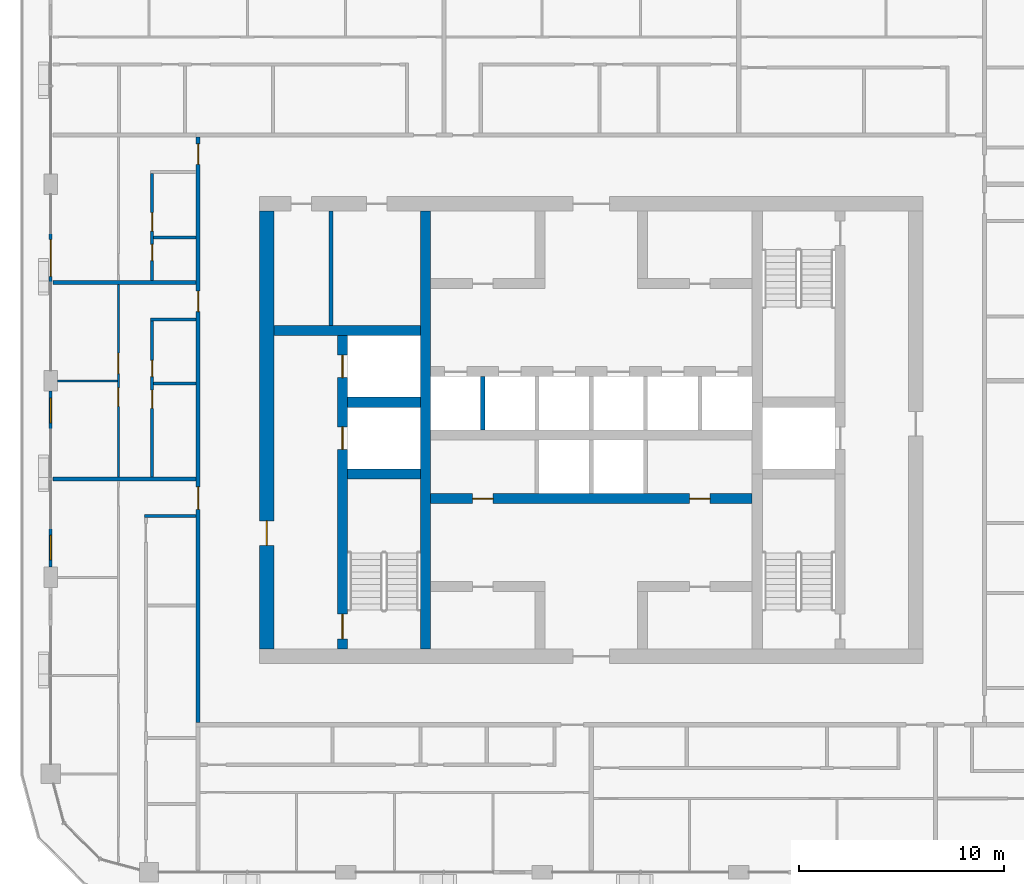
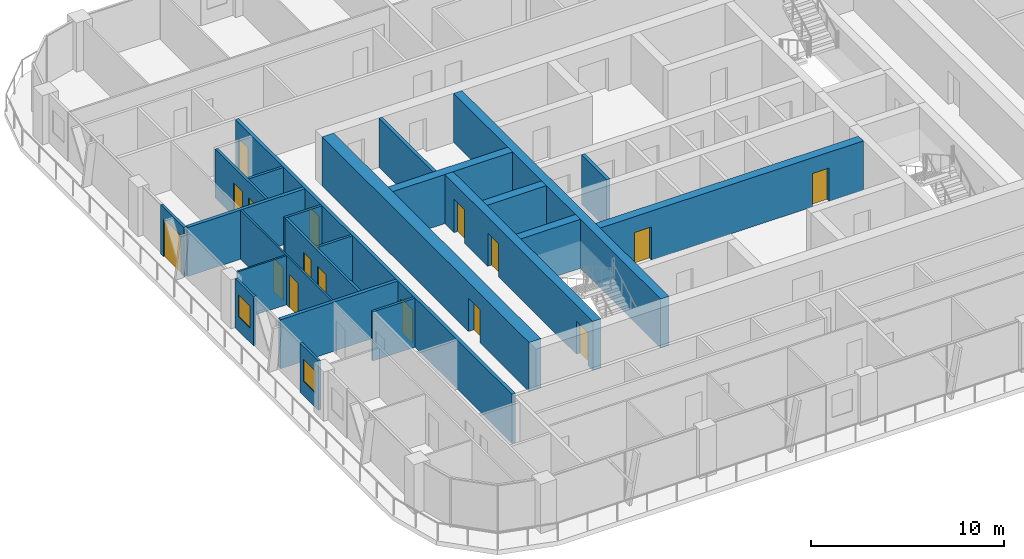
# One storey, part 10 of 22: 23 walls, 16 doors, 2 windows, 18 openings.
"""IFC4 building model written with IfcOpenShell, lengths in metres."""

from ifc_helpers import new_model, si_unit, direction, frame, frame_2d, origin, place, context, subcontext, project, spatial, rectangle, extrude, material, layer, layer_set, type_object, element, fill, save


model = new_model("IFC4")

# Units and contexts
model_context = context("Model", 3, precision=1e-05, world=origin(), true_north=direction((0.0, 1.0)))
body_context = subcontext(model_context, "Body", "Model", "MODEL_VIEW")
ifc_project = project(units=[si_unit("LENGTHUNIT", "METRE"), si_unit("AREAUNIT", "SQUARE_METRE"), si_unit("VOLUMEUNIT", "CUBIC_METRE"), si_unit("PLANEANGLEUNIT", "RADIAN"), si_unit("MASSUNIT", "GRAM", prefix="KILO")], contexts=[model_context])

# Site, building, storey
site_placement = place(None, origin())
site = spatial("IfcSite", under=ifc_project, at=site_placement, CompositionType="ELEMENT")
building_placement = place(site_placement, origin())
building = spatial("IfcBuilding", under=site, at=building_placement, Name="Madar Terraces", CompositionType="ELEMENT")
storey_placement = place(building_placement, frame((0.0, 0.0, 229.800048828125)))
storey = spatial("IfcBuildingStorey", under=building, at=storey_placement, Name="L60", CompositionType="ELEMENT", Elevation=229.800048828125)

# Wall, openings, doors
ifc_material_1 = material(Name="Concrete C60/75", Category="concrete")
ifc_layer_1 = layer(ifc_material_1, 0.5)
ifc_layer_set_1 = layer_set([ifc_layer_1], Name="Concrete C60/75 (CIW4 RC wall 500)")
wall_type_1 = type_object("IfcWallType", Name="CIW4 RC wall 500", PredefinedType="SHEAR", material=ifc_layer_set_1)
wall_1_placement = place(storey_placement, frame((19.050048828125, 15.699951171875, 0.0), z_axis=(0.0, 0.0, 1.0), x_axis=(0.0, 1.0, 0.0)))
wall_1 = element("IfcWall", 1, at=wall_1_placement, inside=storey, type_object=wall_type_1, Name="CORE SHAFT WALL", PredefinedType="SHEAR", context=body_context, shape_type="SweptSolid", body=[
    extrude(rectangle(XDim=15.300048828125, YDim=0.5, at=frame_2d((7.64990234375, 0.0))), origin(), (0.0, 0.0, 1.0), 3.099853515625),
])
opening_1_placement = place(wall_1_placement, frame((9.75, 0.0, 0.0)))
opening_1 = element("IfcOpeningElement", 2, at=opening_1_placement, cuts=wall_1, Name="Opening LD", PredefinedType="OPENING", context=body_context, shape_type="SweptSolid", body=[
    extrude(rectangle(XDim=1.10009765625, YDim=2.10009765625, at=frame_2d((0.550048828125, 1.050048828125))), frame((0.0, 0.260009765625, 0.0), z_axis=(0.0, -1.0, 0.0), x_axis=(1.0, 0.0, 0.0)), (0.0, 0.0, 1.0), 0.52001953125),
])
opening_2_placement = place(wall_1_placement, frame((13.25, 0.0, 0.0)))
opening_2 = element("IfcOpeningElement", 3, at=opening_2_placement, cuts=wall_1, Name="Opening LD", PredefinedType="OPENING", context=body_context, shape_type="SweptSolid", body=[
    extrude(rectangle(XDim=1.10009765625, YDim=2.10009765625, at=frame_2d((0.550048828125, 1.050048828125))), frame((0.0, 0.260009765625, 0.0), z_axis=(0.0, -1.0, 0.0), x_axis=(1.0, 0.0, 0.0)), (0.0, 0.0, 1.0), 0.52001953125),
])
opening_3_placement = place(wall_1_placement, frame((0.5, 0.0, 0.0)))
opening_3 = element("IfcOpeningElement", 4, at=opening_3_placement, cuts=wall_1, Name="Opening SD1", PredefinedType="OPENING", context=body_context, shape_type="SweptSolid", body=[
    extrude(rectangle(XDim=1.199951171875, YDim=2.10009765625, at=frame_2d((0.60009765625, 1.050048828125))), frame((0.0, 0.260009765625, 0.0), z_axis=(0.0, -1.0, 0.0), x_axis=(1.0, 0.0, 0.0)), (0.0, 0.0, 1.0), 0.52001953125),
])
ifc_material_2 = material(Name="Stainless steel panel", Category="steel")
door_type_1 = type_object("IfcDoorType", Name="Lift landing door 1100 x 2100", OperationType="DOUBLE_DOOR_SLIDING", PredefinedType="DOOR", material=ifc_material_2)
door_1_placement = place(opening_1_placement, origin())
door_1 = element("IfcDoor", 5, at=door_1_placement, inside=storey, type_object=door_type_1, Name="LIFT LANDING DOOR", OperationType="DOUBLE_DOOR_SLIDING", OverallHeight=2.10009765625, OverallWidth=1.10009765625, PredefinedType="DOOR", context=body_context, shape_type="SweptSolid", body=[
    extrude(rectangle(XDim=1.10009765625, YDim=2.10009765625, at=frame_2d((0.550048828125, 1.050048828125))), frame((0.0, 0.02490234375, 0.0), z_axis=(0.0, -1.0, 0.0), x_axis=(1.0, 0.0, 0.0)), (0.0, 0.0, 1.0), 0.050048828125),
])
fill(opening_1, door_1)
door_2_placement = place(opening_2_placement, origin())
door_2 = element("IfcDoor", 6, at=door_2_placement, inside=storey, type_object=door_type_1, Name="LIFT LANDING DOOR", OperationType="DOUBLE_DOOR_SLIDING", OverallHeight=2.10009765625, OverallWidth=1.10009765625, PredefinedType="DOOR", context=body_context, shape_type="SweptSolid", body=[
    extrude(rectangle(XDim=1.10009765625, YDim=2.10009765625, at=frame_2d((0.550048828125, 1.050048828125))), frame((0.0, 0.02490234375, 0.0), z_axis=(0.0, -1.0, 0.0), x_axis=(1.0, 0.0, 0.0)), (0.0, 0.0, 1.0), 0.050048828125),
])
fill(opening_2, door_2)
ifc_material_3 = material(Name="Steel door leaf", Category="steel")
door_type_2 = type_object("IfcDoorType", Name="Stair door 1200 x 2100", OperationType="NOTDEFINED", PredefinedType="DOOR", material=ifc_material_3)
door_3_placement = place(opening_3_placement, frame((1.199951171875, 0.0, 0.0), z_axis=(0.0, 0.0, 1.0), x_axis=(-1.0, 0.0, 0.0)))
door_3 = element("IfcDoor", 7, at=door_3_placement, inside=storey, type_object=door_type_2, Name="STAIR DOOR", OperationType="SINGLE_SWING_RIGHT", OverallHeight=2.10009765625, OverallWidth=1.199951171875, PredefinedType="DOOR", context=body_context, shape_type="SweptSolid", body=[
    extrude(rectangle(XDim=1.199951171875, YDim=2.10009765625, at=frame_2d((0.60009765625, 1.050048828125))), frame((0.0, 0.02490234375, 0.0), z_axis=(0.0, -1.0, 0.0), x_axis=(1.0, 0.0, 0.0)), (0.0, 0.0, 1.0), 0.050048828125),
])
fill(opening_3, door_3)

# Walls
wall_2_placement = place(storey_placement, frame((23.10009765625, 15.699951171875, 0.0), z_axis=(0.0, 0.0, 1.0), x_axis=(0.0, 1.0, 0.0)))
element("IfcWall", 8, at=wall_2_placement, inside=storey, type_object=wall_type_1, Name="CORE SHAFT WALL", PredefinedType="SHEAR", context=body_context, shape_type="SweptSolid", body=[
    extrude(rectangle(XDim=21.400146484375, YDim=0.5, at=frame_2d((10.7001953125, 0.0))), origin(), (0.0, 0.0, 1.0), 3.099853515625),
])
for number, where, z_axis, x_axis, name in (
    (9, (19.300048828125, 24.25, 0.0), (0.0, 0.0, 1.0), (1.0, 0.0, 0.0), "CORE SHAFT WALL"),
    (10, (19.300048828125, 27.75, 0.0), (0.0, 0.0, 1.0), (1.0, 0.0, 0.0), "CORE SHAFT WALL"),
):
    element("IfcWall", number, at=place(storey_placement, frame(where, z_axis=z_axis, x_axis=x_axis)), inside=storey, type_object=wall_type_1, Name=name, PredefinedType="SHEAR", context=body_context, shape_type="SweptSolid", body=[
        extrude(rectangle(XDim=3.550048828125, YDim=0.5, at=frame_2d((1.77490234375, 0.0))), origin(), (0.0, 0.0, 1.0), 3.099853515625),
    ])
wall_3_placement = place(storey_placement, frame((15.699951171875, 31.25, 0.0), z_axis=(0.0, 0.0, 1.0), x_axis=(1.0, 0.0, 0.0)))
element("IfcWall", 11, at=wall_3_placement, inside=storey, type_object=wall_type_1, Name="CORE SHAFT WALL", PredefinedType="SHEAR", context=body_context, shape_type="SweptSolid", body=[
    extrude(rectangle(XDim=7.150146484375, YDim=0.5, at=frame_2d((3.5751953125, 0.0))), origin(), (0.0, 0.0, 1.0), 3.099853515625),
])

# Wall, openings, doors
wall_4_placement = place(storey_placement, frame((23.35009765625, 23.050048828125, 0.0), z_axis=(0.0, 0.0, 1.0), x_axis=(1.0, 0.0, 0.0)))
wall_4 = element("IfcWall", 12, at=wall_4_placement, inside=storey, type_object=wall_type_1, Name="CORE SHAFT WALL", PredefinedType="SHEAR", context=body_context, shape_type="SweptSolid", body=[
    extrude(rectangle(XDim=15.699951171875, YDim=0.5, at=frame_2d((7.85009765625, 0.0))), origin(), (0.0, 0.0, 1.0), 3.099853515625),
])
opening_4_placement = place(wall_4_placement, frame((2.050048828125, 0.0, 0.0)))
opening_4 = element("IfcOpeningElement", 13, at=opening_4_placement, cuts=wall_4, Name="Opening KD2", PredefinedType="OPENING", context=body_context, shape_type="SweptSolid", body=[
    extrude(rectangle(XDim=1.0, YDim=2.10009765625, at=frame_2d((0.5, 1.050048828125))), frame((0.0, 0.260009765625, 0.0), z_axis=(0.0, -1.0, 0.0), x_axis=(1.0, 0.0, 0.0)), (0.0, 0.0, 1.0), 0.52001953125),
])
opening_5_placement = place(wall_4_placement, frame((12.64990234375, 0.0, 0.0)))
opening_5 = element("IfcOpeningElement", 14, at=opening_5_placement, cuts=wall_4, Name="Opening KD2", PredefinedType="OPENING", context=body_context, shape_type="SweptSolid", body=[
    extrude(rectangle(XDim=1.0, YDim=2.10009765625, at=frame_2d((0.5, 1.050048828125))), frame((0.0, 0.260009765625, 0.0), z_axis=(0.0, -1.0, 0.0), x_axis=(1.0, 0.0, 0.0)), (0.0, 0.0, 1.0), 0.52001953125),
])
ifc_material_4 = material(Name="Steel door leaf", Category="steel")
door_type_3 = type_object("IfcDoorType", Name="Service room door 1000 x 2100", OperationType="NOTDEFINED", PredefinedType="DOOR", material=ifc_material_4)
door_4_placement = place(opening_4_placement, frame((1.0, 0.0, 0.0), z_axis=(0.0, 0.0, 1.0), x_axis=(-1.0, 0.0, 0.0)))
door_4 = element("IfcDoor", 15, at=door_4_placement, inside=storey, type_object=door_type_3, Name="SERVICE ROOM DOOR", OperationType="SINGLE_SWING_LEFT", OverallHeight=2.10009765625, OverallWidth=1.0, PredefinedType="DOOR", context=body_context, shape_type="SweptSolid", body=[
    extrude(rectangle(XDim=1.0, YDim=2.10009765625, at=frame_2d((0.5, 1.050048828125))), frame((0.0, 0.02490234375, 0.0), z_axis=(0.0, -1.0, 0.0), x_axis=(1.0, 0.0, 0.0)), (0.0, 0.0, 1.0), 0.050048828125),
])
fill(opening_4, door_4)
door_5_placement = place(opening_5_placement, frame((1.0, 0.0, 0.0), z_axis=(0.0, 0.0, 1.0), x_axis=(-1.0, 0.0, 0.0)))
door_5 = element("IfcDoor", 16, at=door_5_placement, inside=storey, type_object=door_type_3, Name="SERVICE ROOM DOOR", OperationType="SINGLE_SWING_RIGHT", OverallHeight=2.10009765625, OverallWidth=1.0, PredefinedType="DOOR", context=body_context, shape_type="SweptSolid", body=[
    extrude(rectangle(XDim=1.0, YDim=2.10009765625, at=frame_2d((0.5, 1.050048828125))), frame((0.0, 0.02490234375, 0.0), z_axis=(0.0, -1.0, 0.0), x_axis=(1.0, 0.0, 0.0)), (0.0, 0.0, 1.0), 0.050048828125),
])
fill(opening_5, door_5)

# Wall, opening, door
ifc_material_5 = material(Name="Concrete C60/75", Category="concrete")
ifc_layer_2 = layer(ifc_material_5, 0.699951171875)
ifc_layer_set_2 = layer_set([ifc_layer_2], Name="Concrete C60/75 (CRW4 RC wall 700)")
wall_type_2 = type_object("IfcWallType", Name="CRW4 RC wall 700", PredefinedType="SHEAR", material=ifc_layer_set_2)
wall_5_placement = place(storey_placement, frame((15.35009765625, 15.699951171875, 0.0), z_axis=(0.0, 0.0, 1.0), x_axis=(0.0, 1.0, 0.0)))
wall_5 = element("IfcWall", 17, at=wall_5_placement, inside=storey, type_object=wall_type_2, Name="CORE OUTER WALL", PredefinedType="SHEAR", context=body_context, shape_type="SweptSolid", body=[
    extrude(rectangle(XDim=21.400146484375, YDim=0.699951171875, at=frame_2d((10.7001953125, 0.0))), origin(), (0.0, 0.0, 1.0), 3.099853515625),
])
opening_6_placement = place(wall_5_placement, frame((5.06005859375, 0.0, 0.0)))
opening_6 = element("IfcOpeningElement", 18, at=opening_6_placement, cuts=wall_5, Name="Opening SD1", PredefinedType="OPENING", context=body_context, shape_type="SweptSolid", body=[
    extrude(rectangle(XDim=1.199951171875, YDim=2.10009765625, at=frame_2d((0.60009765625, 1.050048828125))), frame((0.0, 0.35986328125, 0.0), z_axis=(0.0, -1.0, 0.0), x_axis=(1.0, 0.0, 0.0)), (0.0, 0.0, 1.0), 0.719970703125),
])
door_6_placement = place(opening_6_placement, frame((1.199951171875, 0.0, 0.0), z_axis=(0.0, 0.0, 1.0), x_axis=(-1.0, 0.0, 0.0)))
door_6 = element("IfcDoor", 19, at=door_6_placement, inside=storey, type_object=door_type_2, Name="STAIR DOOR", OperationType="SINGLE_SWING_LEFT", OverallHeight=2.10009765625, OverallWidth=1.199951171875, PredefinedType="DOOR", context=body_context, shape_type="SweptSolid", body=[
    extrude(rectangle(XDim=1.199951171875, YDim=2.10009765625, at=frame_2d((0.60009765625, 1.050048828125))), frame((0.0, 0.02490234375, 0.0), z_axis=(0.0, -1.0, 0.0), x_axis=(1.0, 0.0, 0.0)), (0.0, 0.0, 1.0), 0.050048828125),
])
fill(opening_6, door_6)

# Walls
ifc_material_6 = material(Name="Masonry blockwork", Category="masonry")
ifc_layer_3 = layer(ifc_material_6, 0.199951171875)
ifc_layer_set_3 = layer_set([ifc_layer_3], Name="Core partition 200 blockwork")
wall_type_3 = type_object("IfcWallType", Name="Core partition 200 blockwork", PredefinedType="PARTITIONING", material=ifc_layer_set_3)
wall_6_placement = place(storey_placement, frame((18.488525390625, 31.5, 0.0), z_axis=(0.0, 0.0, 1.0), x_axis=(0.0, 1.0, 0.0)))
element("IfcWall", 20, at=wall_6_placement, inside=storey, type_object=wall_type_3, Name="SERVICE ROOM PARTITION", PredefinedType="PARTITIONING", context=body_context, shape_type="SweptSolid", body=[
    extrude(rectangle(XDim=5.60009765625, YDim=0.199951171875, at=frame_2d((2.800048828125, 0.0))), origin(), (0.0, 0.0, 1.0), 3.099853515625),
])
ifc_material_7 = material(Name="Concrete C40/50", Category="concrete")
ifc_layer_4 = layer(ifc_material_7, 0.199951171875)
ifc_layer_set_4 = layer_set([ifc_layer_4], Name="Core shaft dividing wall 200 C40/50")
wall_type_4 = type_object("IfcWallType", Name="Core shaft dividing wall 200 C40/50", PredefinedType="SOLIDWALL", material=ifc_layer_set_4)
wall_7_placement = place(storey_placement, frame((25.89990234375, 26.39990234375, 0.0), z_axis=(0.0, 0.0, 1.0), x_axis=(0.0, 1.0, 0.0)))
element("IfcWall", 21, at=wall_7_placement, inside=storey, type_object=wall_type_4, Name="SHAFT DIVIDING WALL", PredefinedType="SOLIDWALL", context=body_context, shape_type="SweptSolid", body=[
    extrude(rectangle(XDim=2.60009765625, YDim=0.199951171875, at=frame_2d((1.300048828125, 0.0))), origin(), (0.0, 0.0, 1.0), 3.099853515625),
])

# Wall, opening, door
ifc_material_8 = material(Name="Aluminium composite panel, black, over insulated backing", Category="aluminium")
ifc_layer_5 = layer(ifc_material_8, 0.14990234375)
ifc_layer_set_5 = layer_set([ifc_layer_5], Name="Facade bay panel 150")
wall_type_5 = type_object("IfcWallType", Name="Facade bay panel 150", PredefinedType="SOLIDWALL", material=ifc_layer_set_5)
wall_8_placement = place(storey_placement, frame((4.800048828125, 36.0, 0.0), z_axis=(0.0, 0.0, 1.0), x_axis=(0.0, -1.0, 0.0)))
wall_8 = element("IfcWall", 22, at=wall_8_placement, inside=storey, type_object=wall_type_5, Name="Facade bay panel", PredefinedType="SOLIDWALL", context=body_context, shape_type="SweptSolid", body=[
    extrude(rectangle(XDim=2.39990234375, YDim=0.14990234375, at=frame_2d((1.199951171875, 0.0))), origin(), (0.0, 0.0, 1.0), 3.099853515625),
])
opening_7_placement = place(wall_8_placement, frame((0.300048828125, 0.0, 0.0)))
opening_7 = element("IfcOpeningElement", 23, at=opening_7_placement, cuts=wall_8, Name="Opening ED1", PredefinedType="OPENING", context=body_context, shape_type="SweptSolid", body=[
    extrude(rectangle(XDim=1.800048828125, YDim=2.39990234375, at=frame_2d((0.89990234375, 1.199951171875))), frame((0.0, 0.0849609375, 0.0), z_axis=(0.0, -1.0, 0.0), x_axis=(1.0, 0.0, 0.0)), (0.0, 0.0, 1.0), 0.169921875),
])
ifc_material_9 = material(Name="Glass, clear, with black aluminium frame", Category="aluminium")
door_type_4 = type_object("IfcDoorType", Name="Balcony and terrace sliding door 1800 x 2400", OperationType="SLIDING_TO_LEFT", PredefinedType="DOOR", material=ifc_material_9)
door_7_placement = place(opening_7_placement, origin())
door_7 = element("IfcDoor", 24, at=door_7_placement, inside=storey, type_object=door_type_4, Name="Balcony door", OperationType="SLIDING_TO_RIGHT", OverallHeight=2.39990234375, OverallWidth=1.800048828125, PredefinedType="DOOR", context=body_context, shape_type="SweptSolid", body=[
    extrude(rectangle(XDim=1.800048828125, YDim=2.39990234375, at=frame_2d((0.89990234375, 1.199951171875))), frame((0.0, 0.02490234375, 0.0), z_axis=(0.0, -1.0, 0.0), x_axis=(1.0, 0.0, 0.0)), (0.0, 0.0, 1.0), 0.050048828125),
])
fill(opening_7, door_7)

# Wall, opening, window
wall_9_placement = place(storey_placement, frame((4.800048828125, 28.300048828125, 0.0), z_axis=(0.0, 0.0, 1.0), x_axis=(0.0, -1.0, 0.0)))
wall_9 = element("IfcWall", 25, at=wall_9_placement, inside=storey, type_object=wall_type_5, Name="Facade bay panel", PredefinedType="SOLIDWALL", context=body_context, shape_type="SweptSolid", body=[
    extrude(rectangle(XDim=1.900146484375, YDim=0.14990234375, at=frame_2d((0.9501953125, 0.0))), origin(), (0.0, 0.0, 1.0), 3.099853515625),
])
opening_8_placement = place(wall_9_placement, frame((0.35009765625, 0.0, 0.89990234375)))
opening_8 = element("IfcOpeningElement", 26, at=opening_8_placement, cuts=wall_9, Name="Opening W1", PredefinedType="OPENING", context=body_context, shape_type="SweptSolid", body=[
    extrude(rectangle(XDim=1.199951171875, YDim=1.39990234375, at=frame_2d((0.60009765625, 0.699951171875))), frame((0.0, 0.0849609375, 0.0), z_axis=(0.0, -1.0, 0.0), x_axis=(1.0, 0.0, 0.0)), (0.0, 0.0, 1.0), 0.169921875),
])
ifc_material_10 = material(Name="Glass, clear, with black aluminium frame", Category="aluminium")
window_type = type_object("IfcWindowType", Name="Vent window 1200 x 1400", PartitioningType="SINGLE_PANEL", PredefinedType="WINDOW", material=ifc_material_10)
window_1_placement = place(opening_8_placement, origin())
window_1 = element("IfcWindow", 27, at=window_1_placement, inside=storey, type_object=window_type, Name="Operable vent window", OverallHeight=1.39990234375, OverallWidth=1.199951171875, PartitioningType="SINGLE_PANEL", PredefinedType="WINDOW", context=body_context, shape_type="SweptSolid", body=[
    extrude(rectangle(XDim=1.199951171875, YDim=1.39990234375, at=frame_2d((0.60009765625, 0.699951171875))), frame((0.0, 0.030029296875, 0.0), z_axis=(0.0, -1.0, 0.0), x_axis=(1.0, 0.0, 0.0)), (0.0, 0.0, 1.0), 0.06005859375),
])
fill(opening_8, window_1)

wall_10_placement = place(storey_placement, frame((4.800048828125, 21.60009765625, 0.0), z_axis=(0.0, 0.0, 1.0), x_axis=(0.0, -1.0, 0.0)))
wall_10 = element("IfcWall", 28, at=wall_10_placement, inside=storey, type_object=wall_type_5, Name="Facade bay panel", PredefinedType="SOLIDWALL", context=body_context, shape_type="SweptSolid", body=[
    extrude(rectangle(XDim=1.900146484375, YDim=0.14990234375, at=frame_2d((0.9501953125, 0.0))), origin(), (0.0, 0.0, 1.0), 3.099853515625),
])
opening_9_placement = place(wall_10_placement, frame((0.35009765625, 0.0, 0.89990234375)))
opening_9 = element("IfcOpeningElement", 29, at=opening_9_placement, cuts=wall_10, Name="Opening W1", PredefinedType="OPENING", context=body_context, shape_type="SweptSolid", body=[
    extrude(rectangle(XDim=1.199951171875, YDim=1.39990234375, at=frame_2d((0.60009765625, 0.699951171875))), frame((0.0, 0.0849609375, 0.0), z_axis=(0.0, -1.0, 0.0), x_axis=(1.0, 0.0, 0.0)), (0.0, 0.0, 1.0), 0.169921875),
])
window_2_placement = place(opening_9_placement, origin())
window_2 = element("IfcWindow", 30, at=window_2_placement, inside=storey, type_object=window_type, Name="Operable vent window", OverallHeight=1.39990234375, OverallWidth=1.199951171875, PartitioningType="SINGLE_PANEL", PredefinedType="WINDOW", context=body_context, shape_type="SweptSolid", body=[
    extrude(rectangle(XDim=1.199951171875, YDim=1.39990234375, at=frame_2d((0.60009765625, 0.699951171875))), frame((0.0, 0.030029296875, 0.0), z_axis=(0.0, -1.0, 0.0), x_axis=(1.0, 0.0, 0.0)), (0.0, 0.0, 1.0), 0.06005859375),
])
fill(opening_9, window_2)

# Wall
ifc_material_11 = material(Name="Gypsum board on steel studs", Category="steel")
ifc_layer_6 = layer(ifc_material_11, 0.10009765625)
ifc_layer_set_6 = layer_set([ifc_layer_6], Name="Flat partition 100")
wall_type_6 = type_object("IfcWallType", Name="Flat partition 100", PredefinedType="PARTITIONING", material=ifc_layer_set_6)
wall_11_placement = place(storey_placement, frame((8.050048828125, 28.800048828125, 0.0), z_axis=(0.0, 0.0, 1.0), x_axis=(-1.0, 0.0, 0.0)))
element("IfcWall", 31, at=wall_11_placement, inside=storey, type_object=wall_type_6, Name="Flat partition 100", PredefinedType="PARTITIONING", context=body_context, shape_type="SweptSolid", body=[
    extrude(rectangle(XDim=2.925048828125, YDim=0.10009765625, at=frame_2d((1.46240234375, 0.0))), origin(), (0.0, 0.0, 1.0), 3.099853515625),
])

# Wall, openings, doors
wall_12_placement = place(storey_placement, frame((8.10009765625, 24.10009765625, 0.0), z_axis=(0.0, 0.0, 1.0), x_axis=(0.0, 1.0, 0.0)))
wall_12 = element("IfcWall", 32, at=wall_12_placement, inside=storey, type_object=wall_type_6, Name="Flat partition 100", PredefinedType="PARTITIONING", context=body_context, shape_type="SweptSolid", body=[
    extrude(rectangle(XDim=9.39990234375, YDim=0.10009765625, at=frame_2d((4.699951171875, 0.0))), origin(), (0.0, 0.0, 1.0), 3.099853515625),
])
opening_10_placement = place(wall_12_placement, frame((5.050048828125, 0.0, 0.0)))
opening_10 = element("IfcOpeningElement", 33, at=opening_10_placement, cuts=wall_12, Name="Opening D3", PredefinedType="OPENING", context=body_context, shape_type="SweptSolid", body=[
    extrude(rectangle(XDim=1.0, YDim=2.10009765625, at=frame_2d((0.5, 1.050048828125))), frame((0.0, 0.06005859375, 0.0), z_axis=(0.0, -1.0, 0.0), x_axis=(1.0, 0.0, 0.0)), (0.0, 0.0, 1.0), 0.1201171875),
])
opening_11_placement = place(wall_12_placement, frame((3.449951171875, 0.0, 0.0)))
opening_11 = element("IfcOpeningElement", 34, at=opening_11_placement, cuts=wall_12, Name="Opening D2", PredefinedType="OPENING", context=body_context, shape_type="SweptSolid", body=[
    extrude(rectangle(XDim=0.89990234375, YDim=2.10009765625, at=frame_2d((0.449951171875, 1.050048828125))), frame((0.0, 0.06005859375, 0.0), z_axis=(0.0, -1.0, 0.0), x_axis=(1.0, 0.0, 0.0)), (0.0, 0.0, 1.0), 0.1201171875),
])
ifc_material_12 = material(Name="Timber door leaf", Category="wood")
door_type_5 = type_object("IfcDoorType", Name="Flat living room door 1000", OperationType="NOTDEFINED", PredefinedType="DOOR", material=ifc_material_12)
door_8_placement = place(opening_10_placement, origin())
door_8 = element("IfcDoor", 35, at=door_8_placement, inside=storey, type_object=door_type_5, Name="Flat living room door 1000", OperationType="SINGLE_SWING_LEFT", OverallHeight=2.10009765625, OverallWidth=1.0, PredefinedType="DOOR", context=body_context, shape_type="SweptSolid", body=[
    extrude(rectangle(XDim=1.0, YDim=2.10009765625, at=frame_2d((0.5, 1.050048828125))), frame((0.0, 0.02490234375, 0.0), z_axis=(0.0, -1.0, 0.0), x_axis=(1.0, 0.0, 0.0)), (0.0, 0.0, 1.0), 0.050048828125),
])
fill(opening_10, door_8)
ifc_material_13 = material(Name="Timber door leaf", Category="wood")
door_type_6 = type_object("IfcDoorType", Name="Flat room door 900", OperationType="NOTDEFINED", PredefinedType="DOOR", material=ifc_material_13)
door_9_placement = place(opening_11_placement, origin())
door_9 = element("IfcDoor", 36, at=door_9_placement, inside=storey, type_object=door_type_6, Name="Flat room door 900", OperationType="SINGLE_SWING_RIGHT", OverallHeight=2.10009765625, OverallWidth=0.89990234375, PredefinedType="DOOR", context=body_context, shape_type="SweptSolid", body=[
    extrude(rectangle(XDim=0.89990234375, YDim=2.10009765625, at=frame_2d((0.449951171875, 1.050048828125))), frame((0.0, 0.02490234375, 0.0), z_axis=(0.0, -1.0, 0.0), x_axis=(1.0, 0.0, 0.0)), (0.0, 0.0, 1.0), 0.050048828125),
])
fill(opening_11, door_9)

ifc_material_14 = material(Name="Lightweight blockwork", Category="masonry")
ifc_layer_7 = layer(ifc_material_14, 0.199951171875)
ifc_layer_set_7 = layer_set([ifc_layer_7], Name="Flat party and entrance wall 200")
wall_type_7 = type_object("IfcWallType", Name="Flat party and entrance wall 200", PredefinedType="PARTITIONING", material=ifc_layer_set_7)
wall_13_placement = place(storey_placement, frame((12.0, 12.10009765625, 0.0), z_axis=(0.0, 0.0, 1.0), x_axis=(0.0, 1.0, 0.0)))
wall_13 = element("IfcWall", 37, at=wall_13_placement, inside=storey, type_object=wall_type_7, Name="Flat party and entrance wall 200", PredefinedType="PARTITIONING", context=body_context, shape_type="SweptSolid", body=[
    extrude(rectangle(XDim=28.599853515625, YDim=0.199951171875, at=frame_2d((14.2998046875, 0.0))), origin(), (0.0, 0.0, 1.0), 3.099853515625),
])
opening_12_placement = place(wall_13_placement, frame((27.27490234375, 0.0, 0.0)))
opening_12 = element("IfcOpeningElement", 38, at=opening_12_placement, cuts=wall_13, Name="Opening D1", PredefinedType="OPENING", context=body_context, shape_type="SweptSolid", body=[
    extrude(rectangle(XDim=1.0, YDim=2.10009765625, at=frame_2d((0.5, 1.050048828125))), frame((0.0, 0.10986328125, 0.0), z_axis=(0.0, -1.0, 0.0), x_axis=(1.0, 0.0, 0.0)), (0.0, 0.0, 1.0), 0.219970703125),
])
opening_13_placement = place(wall_13_placement, frame((20.074951171875, 0.0, 0.0)))
opening_13 = element("IfcOpeningElement", 39, at=opening_13_placement, cuts=wall_13, Name="Opening D1", PredefinedType="OPENING", context=body_context, shape_type="SweptSolid", body=[
    extrude(rectangle(XDim=1.0, YDim=2.10009765625, at=frame_2d((0.5, 1.050048828125))), frame((0.0, 0.10986328125, 0.0), z_axis=(0.0, -1.0, 0.0), x_axis=(1.0, 0.0, 0.0)), (0.0, 0.0, 1.0), 0.219970703125),
])
opening_14_placement = place(wall_13_placement, frame((10.425048828125, 0.0, 0.0)))
opening_14 = element("IfcOpeningElement", 40, at=opening_14_placement, cuts=wall_13, Name="Opening D6", PredefinedType="OPENING", context=body_context, shape_type="SweptSolid", body=[
    extrude(rectangle(XDim=1.10009765625, YDim=2.10009765625, at=frame_2d((0.550048828125, 1.050048828125))), frame((0.0, 0.10986328125, 0.0), z_axis=(0.0, -1.0, 0.0), x_axis=(1.0, 0.0, 0.0)), (0.0, 0.0, 1.0), 0.219970703125),
])
ifc_material_15 = material(Name="Timber fire door leaf", Category="wood")
door_type_7 = type_object("IfcDoorType", Name="Flat entrance door 1000 FD30S", OperationType="NOTDEFINED", PredefinedType="DOOR", material=ifc_material_15)
door_10_placement = place(opening_12_placement, origin())
door_10 = element("IfcDoor", 41, at=door_10_placement, inside=storey, type_object=door_type_7, Name="Flat entrance door 1000 FD30S", OperationType="SINGLE_SWING_RIGHT", OverallHeight=2.10009765625, OverallWidth=1.0, PredefinedType="DOOR", context=body_context, shape_type="SweptSolid", body=[
    extrude(rectangle(XDim=1.0, YDim=2.10009765625, at=frame_2d((0.5, 1.050048828125))), frame((0.0, 0.02490234375, 0.0), z_axis=(0.0, -1.0, 0.0), x_axis=(1.0, 0.0, 0.0)), (0.0, 0.0, 1.0), 0.050048828125),
])
fill(opening_12, door_10)
door_11_placement = place(opening_13_placement, origin())
door_11 = element("IfcDoor", 42, at=door_11_placement, inside=storey, type_object=door_type_7, Name="Flat entrance door 1000 FD30S", OperationType="SINGLE_SWING_RIGHT", OverallHeight=2.10009765625, OverallWidth=1.0, PredefinedType="DOOR", context=body_context, shape_type="SweptSolid", body=[
    extrude(rectangle(XDim=1.0, YDim=2.10009765625, at=frame_2d((0.5, 1.050048828125))), frame((0.0, 0.02490234375, 0.0), z_axis=(0.0, -1.0, 0.0), x_axis=(1.0, 0.0, 0.0)), (0.0, 0.0, 1.0), 0.050048828125),
])
fill(opening_13, door_11)
ifc_material_16 = material(Name="Timber fire door leaf", Category="wood")
door_type_8 = type_object("IfcDoorType", Name="Flat entrance door 1100 FD30S", OperationType="NOTDEFINED", PredefinedType="DOOR", material=ifc_material_16)
door_12_placement = place(opening_14_placement, origin())
door_12 = element("IfcDoor", 43, at=door_12_placement, inside=storey, type_object=door_type_8, Name="Flat entrance door 1100 FD30S", OperationType="SINGLE_SWING_RIGHT", OverallHeight=2.10009765625, OverallWidth=1.10009765625, PredefinedType="DOOR", context=body_context, shape_type="SweptSolid", body=[
    extrude(rectangle(XDim=1.10009765625, YDim=2.10009765625, at=frame_2d((0.550048828125, 1.050048828125))), frame((0.0, 0.02490234375, 0.0), z_axis=(0.0, -1.0, 0.0), x_axis=(1.0, 0.0, 0.0)), (0.0, 0.0, 1.0), 0.050048828125),
])
fill(opening_14, door_12)

# Walls
for number, where, z_axis, x_axis, name in (
    (44, (4.89990234375, 33.60009765625, 0.0), (0.0, 0.0, 1.0), (1.0, 0.0, 0.0), "Flat party and entrance wall 200"),
    (45, (4.89990234375, 24.0, 0.0), (0.0, 0.0, 1.0), (1.0, 0.0, 0.0), "Flat party and entrance wall 200"),
):
    element("IfcWall", number, at=place(storey_placement, frame(where, z_axis=z_axis, x_axis=x_axis)), inside=storey, type_object=wall_type_7, Name=name, PredefinedType="PARTITIONING", context=body_context, shape_type="SweptSolid", body=[
        extrude(rectangle(XDim=7.0, YDim=0.199951171875, at=frame_2d((3.5, 0.0))), origin(), (0.0, 0.0, 1.0), 3.099853515625),
    ])
ifc_material_17 = material(Name="Lightweight blockwork", Category="masonry")
ifc_layer_8 = layer(ifc_material_17, 0.14990234375)
ifc_layer_set_8 = layer_set([ifc_layer_8], Name="Flat wet-room partition 150")
wall_type_8 = type_object("IfcWallType", Name="Flat wet-room partition 150", PredefinedType="PARTITIONING", material=ifc_layer_set_8)
wall_14_placement = place(storey_placement, frame((11.89990234375, 35.7900390625, 0.0), z_axis=(0.0, 0.0, 1.0), x_axis=(-1.0, 0.0, 0.0)))
element("IfcWall", 46, at=wall_14_placement, inside=storey, type_object=wall_type_8, Name="Flat wet-room partition 150", PredefinedType="PARTITIONING", context=body_context, shape_type="SweptSolid", body=[
    extrude(rectangle(XDim=2.074951171875, YDim=0.14990234375, at=frame_2d((1.03759765625, 0.0))), origin(), (0.0, 0.0, 1.0), 3.099853515625),
])

# Wall, openings, doors
wall_15_placement = place(storey_placement, frame((9.75, 38.925048828125, 0.0), z_axis=(0.0, 0.0, 1.0), x_axis=(0.0, -1.0, 0.0)))
wall_15 = element("IfcWall", 47, at=wall_15_placement, inside=storey, type_object=wall_type_8, Name="Flat wet-room partition 150", PredefinedType="PARTITIONING", context=body_context, shape_type="SweptSolid", body=[
    extrude(rectangle(XDim=5.22509765625, YDim=0.14990234375, at=frame_2d((2.612548828125, 0.0))), origin(), (0.0, 0.0, 1.0), 3.099853515625),
])
opening_15_placement = place(wall_15_placement, frame((1.909912109375, 0.0, 0.0)))
opening_15 = element("IfcOpeningElement", 48, at=opening_15_placement, cuts=wall_15, Name="Opening D2", PredefinedType="OPENING", context=body_context, shape_type="SweptSolid", body=[
    extrude(rectangle(XDim=0.89990234375, YDim=2.10009765625, at=frame_2d((0.449951171875, 1.050048828125))), frame((0.0, 0.0849609375, 0.0), z_axis=(0.0, -1.0, 0.0), x_axis=(1.0, 0.0, 0.0)), (0.0, 0.0, 1.0), 0.169921875),
])
opening_16_placement = place(wall_15_placement, frame((3.4599609375, 0.0, 0.0)))
opening_16 = element("IfcOpeningElement", 49, at=opening_16_placement, cuts=wall_15, Name="Opening D4", PredefinedType="OPENING", context=body_context, shape_type="SweptSolid", body=[
    extrude(rectangle(XDim=0.800048828125, YDim=2.10009765625, at=frame_2d((0.39990234375, 1.050048828125))), frame((0.0, 0.0849609375, 0.0), z_axis=(0.0, -1.0, 0.0), x_axis=(1.0, 0.0, 0.0)), (0.0, 0.0, 1.0), 0.169921875),
])
ifc_material_18 = material(Name="Timber door leaf", Category="wood")
door_type_9 = type_object("IfcDoorType", Name="Flat bathroom door 800", OperationType="NOTDEFINED", PredefinedType="DOOR", material=ifc_material_18)
door_13_placement = place(opening_16_placement, origin())
door_13 = element("IfcDoor", 50, at=door_13_placement, inside=storey, type_object=door_type_9, Name="Flat bathroom door 800", OperationType="SINGLE_SWING_LEFT", OverallHeight=2.10009765625, OverallWidth=0.800048828125, PredefinedType="DOOR", context=body_context, shape_type="SweptSolid", body=[
    extrude(rectangle(XDim=0.800048828125, YDim=2.10009765625, at=frame_2d((0.39990234375, 1.050048828125))), frame((0.0, 0.02490234375, 0.0), z_axis=(0.0, -1.0, 0.0), x_axis=(1.0, 0.0, 0.0)), (0.0, 0.0, 1.0), 0.050048828125),
])
fill(opening_16, door_13)
door_14_placement = place(opening_15_placement, origin())
door_14 = element("IfcDoor", 51, at=door_14_placement, inside=storey, type_object=door_type_6, Name="Flat room door 900", OperationType="SINGLE_SWING_RIGHT", OverallHeight=2.10009765625, OverallWidth=0.89990234375, PredefinedType="DOOR", context=body_context, shape_type="SweptSolid", body=[
    extrude(rectangle(XDim=0.89990234375, YDim=2.10009765625, at=frame_2d((0.449951171875, 1.050048828125))), frame((0.0, 0.02490234375, 0.0), z_axis=(0.0, -1.0, 0.0), x_axis=(1.0, 0.0, 0.0)), (0.0, 0.0, 1.0), 0.050048828125),
])
fill(opening_15, door_14)

# Walls
wall_16_placement = place(storey_placement, frame((11.89990234375, 28.675048828125, 0.0), z_axis=(0.0, 0.0, 1.0), x_axis=(-1.0, 0.0, 0.0)))
element("IfcWall", 52, at=wall_16_placement, inside=storey, type_object=wall_type_8, Name="Flat wet-room partition 150", PredefinedType="PARTITIONING", context=body_context, shape_type="SweptSolid", body=[
    extrude(rectangle(XDim=2.074951171875, YDim=0.14990234375, at=frame_2d((1.03759765625, 0.0))), origin(), (0.0, 0.0, 1.0), 3.099853515625),
])
wall_17_placement = place(storey_placement, frame((11.89990234375, 31.800048828125, 0.0), z_axis=(0.0, 0.0, 1.0), x_axis=(-1.0, 0.0, 0.0)))
element("IfcWall", 53, at=wall_17_placement, inside=storey, type_object=wall_type_8, Name="Flat wet-room partition 150", PredefinedType="PARTITIONING", context=body_context, shape_type="SweptSolid", body=[
    extrude(rectangle(XDim=2.224853515625, YDim=0.14990234375, at=frame_2d((1.1123046875, 0.0))), origin(), (0.0, 0.0, 1.0), 3.099853515625),
])

# Wall, openings, doors
wall_18_placement = place(storey_placement, frame((9.75, 31.72509765625, 0.0), z_axis=(0.0, 0.0, 1.0), x_axis=(0.0, -1.0, 0.0)))
wall_18 = element("IfcWall", 54, at=wall_18_placement, inside=storey, type_object=wall_type_8, Name="Flat wet-room partition 150", PredefinedType="PARTITIONING", context=body_context, shape_type="SweptSolid", body=[
    extrude(rectangle(XDim=7.625, YDim=0.14990234375, at=frame_2d((3.8125, 0.0))), origin(), (0.0, 0.0, 1.0), 3.099853515625),
])
opening_17_placement = place(wall_18_placement, frame((1.925048828125, 0.0, 0.0)))
opening_17 = element("IfcOpeningElement", 55, at=opening_17_placement, cuts=wall_18, Name="Opening D4", PredefinedType="OPENING", context=body_context, shape_type="SweptSolid", body=[
    extrude(rectangle(XDim=0.800048828125, YDim=2.10009765625, at=frame_2d((0.39990234375, 1.050048828125))), frame((0.0, 0.0849609375, 0.0), z_axis=(0.0, -1.0, 0.0), x_axis=(1.0, 0.0, 0.0)), (0.0, 0.0, 1.0), 0.169921875),
])
opening_18_placement = place(wall_18_placement, frame((3.375, 0.0, 0.0)))
opening_18 = element("IfcOpeningElement", 56, at=opening_18_placement, cuts=wall_18, Name="Opening D2", PredefinedType="OPENING", context=body_context, shape_type="SweptSolid", body=[
    extrude(rectangle(XDim=0.89990234375, YDim=2.10009765625, at=frame_2d((0.449951171875, 1.050048828125))), frame((0.0, 0.0849609375, 0.0), z_axis=(0.0, -1.0, 0.0), x_axis=(1.0, 0.0, 0.0)), (0.0, 0.0, 1.0), 0.169921875),
])
door_15_placement = place(opening_17_placement, origin())
door_15 = element("IfcDoor", 57, at=door_15_placement, inside=storey, type_object=door_type_9, Name="Flat bathroom door 800", OperationType="SINGLE_SWING_RIGHT", OverallHeight=2.10009765625, OverallWidth=0.800048828125, PredefinedType="DOOR", context=body_context, shape_type="SweptSolid", body=[
    extrude(rectangle(XDim=0.800048828125, YDim=2.10009765625, at=frame_2d((0.39990234375, 1.050048828125))), frame((0.0, 0.02490234375, 0.0), z_axis=(0.0, -1.0, 0.0), x_axis=(1.0, 0.0, 0.0)), (0.0, 0.0, 1.0), 0.050048828125),
])
fill(opening_17, door_15)
door_16_placement = place(opening_18_placement, origin())
door_16 = element("IfcDoor", 58, at=door_16_placement, inside=storey, type_object=door_type_6, Name="Flat room door 900", OperationType="SINGLE_SWING_LEFT", OverallHeight=2.10009765625, OverallWidth=0.89990234375, PredefinedType="DOOR", context=body_context, shape_type="SweptSolid", body=[
    extrude(rectangle(XDim=0.89990234375, YDim=2.10009765625, at=frame_2d((0.449951171875, 1.050048828125))), frame((0.0, 0.02490234375, 0.0), z_axis=(0.0, -1.0, 0.0), x_axis=(1.0, 0.0, 0.0)), (0.0, 0.0, 1.0), 0.050048828125),
])
fill(opening_18, door_16)

# Wall
wall_19_placement = place(storey_placement, frame((11.89990234375, 22.199951171875, 0.0), z_axis=(0.0, 0.0, 1.0), x_axis=(-1.0, 0.0, 0.0)))
element("IfcWall", 59, at=wall_19_placement, inside=storey, type_object=wall_type_8, Name="Flat wet-room partition 150", PredefinedType="PARTITIONING", context=body_context, shape_type="SweptSolid", body=[
    extrude(rectangle(XDim=2.52490234375, YDim=0.14990234375, at=frame_2d((1.262451171875, 0.0))), origin(), (0.0, 0.0, 1.0), 3.099853515625),
])

save(model, "model.ifc")
